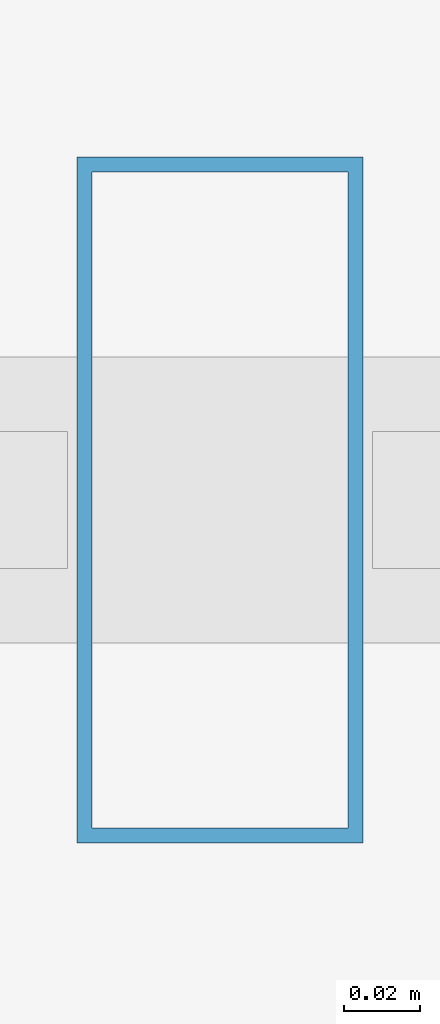
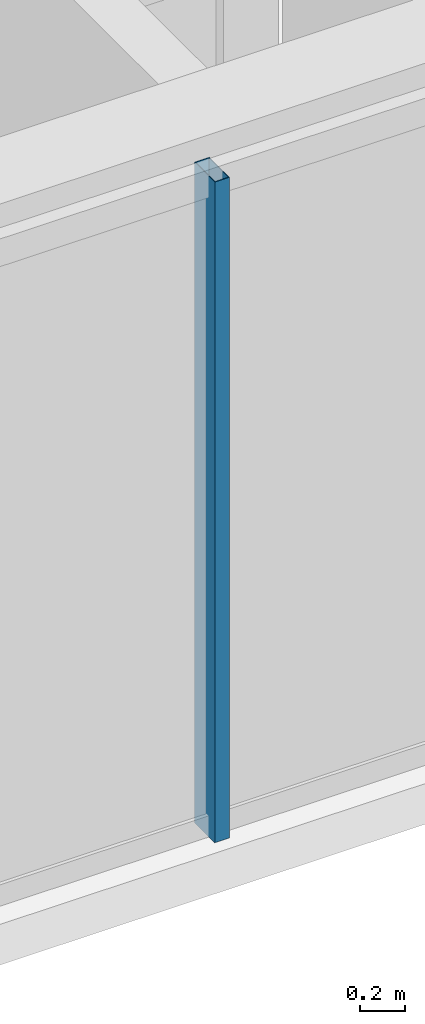
# One storey, part 3 of 33: 1 member, 1 element without a shape of its own.
"""IFC4 building model written with IfcOpenShell, lengths in metres."""

from ifc_helpers import new_model, si_unit, direction, frame, origin, origin_2d, place, context, subcontext, project, spatial, hollow_rectangle, extrude, material, layer, layer_set, material_profile, profile_set, type_object, element, aggregate, save


model = new_model("IFC4")

# Units and contexts
model_context = context("Model", 3, precision=1e-05, world=origin(), true_north=direction((0.0, 1.0)))
body_context = subcontext(model_context, "Body", "Model", "MODEL_VIEW")
ifc_project = project(units=[si_unit("LENGTHUNIT", "METRE"), si_unit("AREAUNIT", "SQUARE_METRE"), si_unit("VOLUMEUNIT", "CUBIC_METRE"), si_unit("PLANEANGLEUNIT", "RADIAN"), si_unit("MASSUNIT", "GRAM", prefix="KILO")], contexts=[model_context])

# Site, building, storey
site_placement = place(None, origin())
site = spatial("IfcSite", under=ifc_project, at=site_placement, CompositionType="ELEMENT")
building_placement = place(site_placement, origin())
building = spatial("IfcBuilding", under=site, at=building_placement, Name="Ndaravel Arena Tower", CompositionType="ELEMENT")
storey_placement = place(building_placement, frame((0.0, 0.0, 85.39990234375)))
storey = spatial("IfcBuildingStorey", under=building, at=storey_placement, Name="L19", CompositionType="ELEMENT", Elevation=85.39990234375)

# Curtain wall, member
ifc_material_1 = material(Name="Aluminium", Category="aluminium")
ifc_layer = layer(ifc_material_1, 0.179931640625)
ifc_layer_set = layer_set([ifc_layer], Name="Aluminium")
curtain_wall_type = type_object("IfcCurtainWallType", Name="CW-SYS-03", PredefinedType="NOTDEFINED", material=ifc_layer_set)
curtain_wall_placement = place(storey_placement, origin())
curtain_wall = element("IfcCurtainWall", 1, at=curtain_wall_placement, inside=storey, type_object=curtain_wall_type, Name="L19 Faceted Crystal Curtain Wall CW-L19-E01", PredefinedType="NOTDEFINED")
ifc_material_2 = material(Name="Aluminium", Category="aluminium")
ifc_material_profile = material_profile(ifc_material_2, hollow_rectangle(XDim=0.074951171875, YDim=0.179931640625, WallThickness=0.00390625, at=origin_2d()), Name="CW MULLION 75x180x4")
ifc_profile_set = profile_set([ifc_material_profile], Name="Aluminium")
member_type = type_object("IfcMemberType", Name="MEM-CW-MUL180", PredefinedType="MULLION", material=ifc_profile_set)
member_placement = place(storey_placement, frame((30.350830078125, 5.159912109375, 0.0), z_axis=(0.0, 0.0, 1.0), x_axis=(1.0, 0.0, 0.0)))
member = element("IfcMember", 2, at=member_placement, type_object=member_type, Name="CW-L19-E01 Mullion 01", PredefinedType="MULLION", context=body_context, shape_type="SweptSolid", body=[
    extrude(hollow_rectangle(XDim=0.074951171875, YDim=0.179931640625, WallThickness=0.00390625, at=origin_2d()), origin(), (0.0, 0.0, 1.0), 3.580078125),
])
aggregate(curtain_wall, [member])

save(model, "model.ifc")
